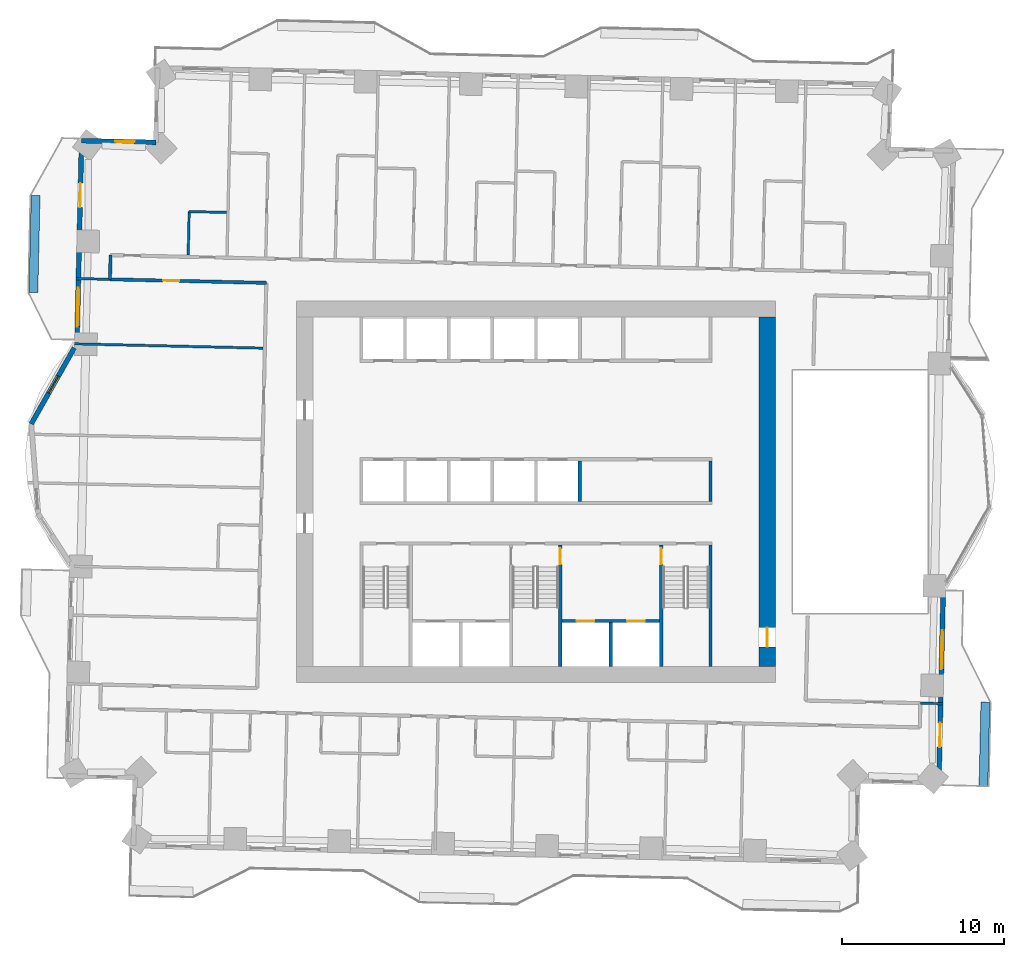
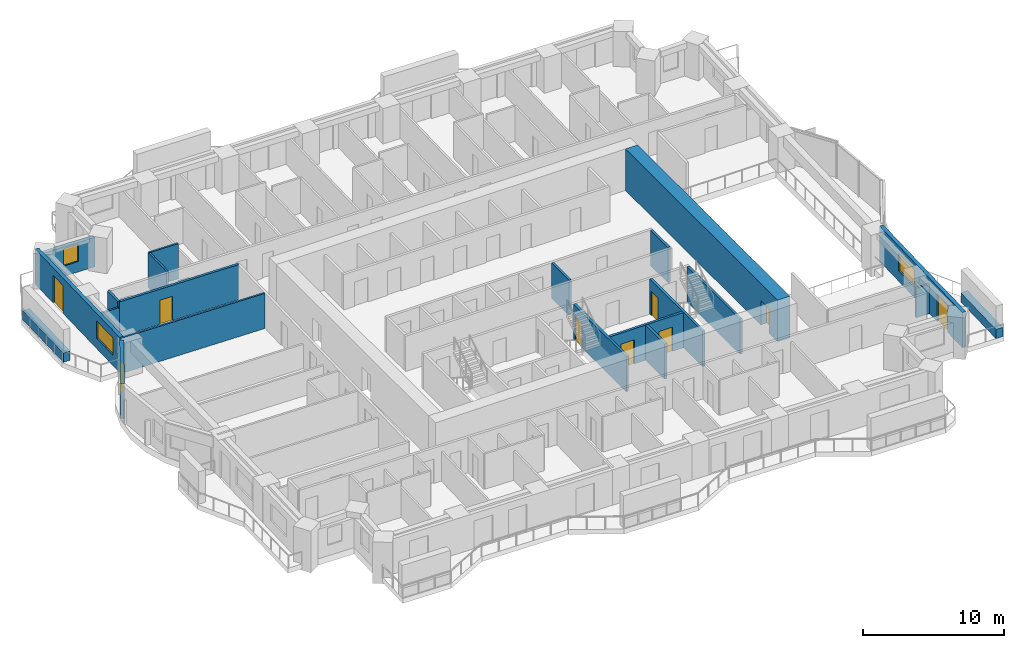
# One storey, part 9 of 16: 21 walls, 8 doors, 4 windows, 12 openings.
"""IFC4 building model written with IfcOpenShell, lengths in metres."""

from ifc_helpers import new_model, si_unit, direction, frame, frame_2d, origin, place, context, subcontext, project, spatial, rectangle, extrude, material, layer, layer_set, type_object, element, fill, save


model = new_model("IFC4")

# Units and contexts
model_context = context("Model", 3, precision=1e-05, world=origin(), true_north=direction((0.0, 1.0)))
body_context = subcontext(model_context, "Body", "Model", "MODEL_VIEW")
ifc_project = project(units=[si_unit("LENGTHUNIT", "METRE"), si_unit("AREAUNIT", "SQUARE_METRE"), si_unit("VOLUMEUNIT", "CUBIC_METRE"), si_unit("PLANEANGLEUNIT", "RADIAN"), si_unit("MASSUNIT", "GRAM", prefix="KILO")], contexts=[model_context])

# Site, building, storey
site_placement = place(None, origin())
site = spatial("IfcSite", under=ifc_project, at=site_placement, CompositionType="ELEMENT")
building_placement = place(site_placement, origin())
building = spatial("IfcBuilding", under=site, at=building_placement, Name="Mangrove Gate Tower", CompositionType="ELEMENT")
storey_placement = place(building_placement, frame((0.0, 0.0, 105.5)))
storey = spatial("IfcBuildingStorey", under=building, at=storey_placement, Name="L26", CompositionType="ELEMENT", Elevation=105.5)

# Wall
ifc_material_1 = material(Name="Concrete C32/40", Category="concrete")
ifc_layer_1 = layer(ifc_material_1, 0.199951171875)
ifc_layer_set_1 = layer_set([ifc_layer_1], Name="Core room wall 200 C32/40")
wall_type_1 = type_object("IfcWallType", Name="Core room wall 200 C32/40", PredefinedType="STANDARD", material=ifc_layer_set_1)
wall_1_placement = place(storey_placement, frame((10.800048828125, -0.60009765625, 0.0), z_axis=(0.0, 0.0, 1.0), x_axis=(0.0, 1.0, 0.0)))
element("IfcWall", 1, at=wall_1_placement, inside=storey, type_object=wall_type_1, Name="WALL-L26-CORE-25", PredefinedType="STANDARD", context=body_context, shape_type="SweptSolid", body=[
    extrude(rectangle(XDim=2.5, YDim=0.199951171875, at=frame_2d((1.25, 0.0))), origin(), (0.0, 0.0, 1.0), 3.050048828125),
])

# Wall, openings, doors
ifc_material_2 = material(Name="Concrete C70/85", Category="concrete")
ifc_layer_2 = layer(ifc_material_2, 0.199951171875)
ifc_layer_set_2 = layer_set([ifc_layer_2], Name="Core shaft wall 200 C70/85")
wall_type_2 = type_object("IfcWallType", Name="Core shaft wall 200 C70/85", PredefinedType="SHEAR", material=ifc_layer_set_2)
wall_2_placement = place(storey_placement, frame((1.60009765625, -8.0, 0.0), z_axis=(0.0, 0.0, 1.0), x_axis=(1.0, 0.0, 0.0)))
wall_2 = element("IfcWall", 2, at=wall_2_placement, inside=storey, type_object=wall_type_2, Name="WALL-L26-CORE-17", PredefinedType="SHEAR", context=body_context, shape_type="SweptSolid", body=[
    extrude(rectangle(XDim=6.0498046875, YDim=0.199951171875, at=frame_2d((3.02490234375, 0.0))), origin(), (0.0, 0.0, 1.0), 3.050048828125),
])
opening_1_placement = place(wall_2_placement, frame((0.91259765625, 0.0, 0.0)))
opening_1 = element("IfcOpeningElement", 3, at=opening_1_placement, cuts=wall_2, Name="Opening LD", PredefinedType="OPENING", context=body_context, shape_type="SweptSolid", body=[
    extrude(rectangle(XDim=1.10009765625, YDim=2.10009765625, at=frame_2d((0.550048828125, 1.050048828125))), frame((0.0, 0.10986328125, 0.0), z_axis=(0.0, -1.0, 0.0), x_axis=(1.0, 0.0, 0.0)), (0.0, 0.0, 1.0), 0.219970703125),
])
opening_2_placement = place(wall_2_placement, frame((4.03759765625, 0.0, 0.0)))
opening_2 = element("IfcOpeningElement", 4, at=opening_2_placement, cuts=wall_2, Name="Opening LD", PredefinedType="OPENING", context=body_context, shape_type="SweptSolid", body=[
    extrude(rectangle(XDim=1.10009765625, YDim=2.10009765625, at=frame_2d((0.550048828125, 1.050048828125))), frame((0.0, 0.10986328125, 0.0), z_axis=(0.0, -1.0, 0.0), x_axis=(1.0, 0.0, 0.0)), (0.0, 0.0, 1.0), 0.219970703125),
])
ifc_material_3 = material(Name="Stainless steel 316", Category="steel")
door_type_1 = type_object("IfcDoorType", Name="Lift landing door 1100x2100", OperationType="SLIDING_TO_LEFT", PredefinedType="DOOR", material=ifc_material_3)
door_1_placement = place(opening_1_placement, origin())
door_1 = element("IfcDoor", 5, at=door_1_placement, inside=storey, type_object=door_type_1, Name="Landing door LD FFL1", OperationType="SLIDING_TO_LEFT", OverallHeight=2.10009765625, OverallWidth=1.10009765625, PredefinedType="DOOR", context=body_context, shape_type="SweptSolid", body=[
    extrude(rectangle(XDim=1.10009765625, YDim=2.10009765625, at=frame_2d((0.550048828125, 1.050048828125))), frame((0.0, 0.02490234375, 0.0), z_axis=(0.0, -1.0, 0.0), x_axis=(1.0, 0.0, 0.0)), (0.0, 0.0, 1.0), 0.050048828125),
])
fill(opening_1, door_1)
door_2_placement = place(opening_2_placement, origin())
door_2 = element("IfcDoor", 6, at=door_2_placement, inside=storey, type_object=door_type_1, Name="Landing door LD FFL2", OperationType="SLIDING_TO_LEFT", OverallHeight=2.10009765625, OverallWidth=1.10009765625, PredefinedType="DOOR", context=body_context, shape_type="SweptSolid", body=[
    extrude(rectangle(XDim=1.10009765625, YDim=2.10009765625, at=frame_2d((0.550048828125, 1.050048828125))), frame((0.0, 0.02490234375, 0.0), z_axis=(0.0, -1.0, 0.0), x_axis=(1.0, 0.0, 0.0)), (0.0, 0.0, 1.0), 0.050048828125),
])
fill(opening_2, door_2)

# Walls
wall_3_placement = place(storey_placement, frame((4.625, -10.800048828125, 0.0), z_axis=(0.0, 0.0, 1.0), x_axis=(0.0, 1.0, 0.0)))
element("IfcWall", 7, at=wall_3_placement, inside=storey, type_object=wall_type_2, Name="WALL-L26-CORE-18", PredefinedType="SHEAR", context=body_context, shape_type="SweptSolid", body=[
    extrude(rectangle(XDim=2.699951171875, YDim=0.199951171875, at=frame_2d((1.35009765625, 0.0))), origin(), (0.0, 0.0, 1.0), 3.050048828125),
])
wall_4_placement = place(storey_placement, frame((2.699951171875, -0.60009765625, 0.0), z_axis=(0.0, 0.0, 1.0), x_axis=(0.0, 1.0, 0.0)))
element("IfcWall", 8, at=wall_4_placement, inside=storey, type_object=wall_type_2, Name="WALL-L26-CORE-24", PredefinedType="SHEAR", context=body_context, shape_type="SweptSolid", body=[
    extrude(rectangle(XDim=2.5, YDim=0.199951171875, at=frame_2d((1.25, 0.0))), origin(), (0.0, 0.0, 1.0), 3.050048828125),
])

# Wall, opening, door
ifc_material_4 = material(Name="Concrete C70/85", Category="concrete")
ifc_layer_3 = layer(ifc_material_4, 0.199951171875)
ifc_layer_set_3 = layer_set([ifc_layer_3], Name="Core stair wall 200 C70/85")
wall_type_3 = type_object("IfcWallType", Name="Core stair wall 200 C70/85", PredefinedType="SHEAR", material=ifc_layer_set_3)
wall_5_placement = place(storey_placement, frame((1.5, -10.800048828125, 0.0), z_axis=(0.0, 0.0, 1.0), x_axis=(0.0, 1.0, 0.0)))
wall_5 = element("IfcWall", 9, at=wall_5_placement, inside=storey, type_object=wall_type_3, Name="WALL-L26-CORE-12", PredefinedType="SHEAR", context=body_context, shape_type="SweptSolid", body=[
    extrude(rectangle(XDim=7.5, YDim=0.199951171875, at=frame_2d((3.75, 0.0))), origin(), (0.0, 0.0, 1.0), 3.050048828125),
])
opening_3_placement = place(wall_5_placement, frame((6.300048828125, 0.0, 0.0)))
opening_3 = element("IfcOpeningElement", 10, at=opening_3_placement, cuts=wall_5, Name="Opening STD10", PredefinedType="OPENING", context=body_context, shape_type="SweptSolid", body=[
    extrude(rectangle(XDim=1.0, YDim=2.10009765625, at=frame_2d((0.5, 1.050048828125))), frame((0.0, 0.10986328125, 0.0), z_axis=(0.0, -1.0, 0.0), x_axis=(1.0, 0.0, 0.0)), (0.0, 0.0, 1.0), 0.219970703125),
])
ifc_material_5 = material(Name="Fire-rated steel door set", Category="steel")
door_type_2 = type_object("IfcDoorType", Name="Stair door FD60 1000x2100", OperationType="SINGLE_SWING_RIGHT", PredefinedType="DOOR", material=ifc_material_5)
door_3_placement = place(opening_3_placement, origin())
door_3 = element("IfcDoor", 11, at=door_3_placement, inside=storey, type_object=door_type_2, Name="Stair door Stair 2 from fire-fighting lobby", OperationType="SINGLE_SWING_RIGHT", OverallHeight=2.10009765625, OverallWidth=1.0, PredefinedType="DOOR", context=body_context, shape_type="SweptSolid", body=[
    extrude(rectangle(XDim=1.0, YDim=2.10009765625, at=frame_2d((0.5, 1.050048828125))), frame((0.0, 0.02490234375, 0.0), z_axis=(0.0, -1.0, 0.0), x_axis=(1.0, 0.0, 0.0)), (0.0, 0.0, 1.0), 0.050048828125),
])
fill(opening_3, door_3)

wall_6_placement = place(storey_placement, frame((7.75, -10.800048828125, 0.0), z_axis=(0.0, 0.0, 1.0), x_axis=(0.0, 1.0, 0.0)))
wall_6 = element("IfcWall", 12, at=wall_6_placement, inside=storey, type_object=wall_type_3, Name="WALL-L26-CORE-13", PredefinedType="SHEAR", context=body_context, shape_type="SweptSolid", body=[
    extrude(rectangle(XDim=7.5, YDim=0.199951171875, at=frame_2d((3.75, 0.0))), origin(), (0.0, 0.0, 1.0), 3.050048828125),
])
opening_4_placement = place(wall_6_placement, frame((6.300048828125, 0.0, 0.0)))
opening_4 = element("IfcOpeningElement", 13, at=opening_4_placement, cuts=wall_6, Name="Opening STD10", PredefinedType="OPENING", context=body_context, shape_type="SweptSolid", body=[
    extrude(rectangle(XDim=1.0, YDim=2.10009765625, at=frame_2d((0.5, 1.050048828125))), frame((0.0, 0.10986328125, 0.0), z_axis=(0.0, -1.0, 0.0), x_axis=(1.0, 0.0, 0.0)), (0.0, 0.0, 1.0), 0.219970703125),
])
door_4_placement = place(opening_4_placement, origin())
door_4 = element("IfcDoor", 14, at=door_4_placement, inside=storey, type_object=door_type_2, Name="Stair door Stair 3 from fire-fighting lobby", OperationType="SINGLE_SWING_RIGHT", OverallHeight=2.10009765625, OverallWidth=1.0, PredefinedType="DOOR", context=body_context, shape_type="SweptSolid", body=[
    extrude(rectangle(XDim=1.0, YDim=2.10009765625, at=frame_2d((0.5, 1.050048828125))), frame((0.0, 0.02490234375, 0.0), z_axis=(0.0, -1.0, 0.0), x_axis=(1.0, 0.0, 0.0)), (0.0, 0.0, 1.0), 0.050048828125),
])
fill(opening_4, door_4)

# Wall
wall_7_placement = place(storey_placement, frame((10.800048828125, -10.800048828125, 0.0), z_axis=(0.0, 0.0, 1.0), x_axis=(0.0, 1.0, 0.0)))
element("IfcWall", 15, at=wall_7_placement, inside=storey, type_object=wall_type_3, Name="WALL-L26-CORE-14", PredefinedType="SHEAR", context=body_context, shape_type="SweptSolid", body=[
    extrude(rectangle(XDim=7.5, YDim=0.199951171875, at=frame_2d((3.75, 0.0))), origin(), (0.0, 0.0, 1.0), 3.050048828125),
])

# Wall, opening, door
ifc_material_6 = material(Name="Concrete C70/85", Category="concrete")
ifc_layer_4 = layer(ifc_material_6, 1.0)
ifc_layer_set_4 = layer_set([ifc_layer_4], Name="Core wall 1000 C70/85")
wall_type_4 = type_object("IfcWallType", Name="Core wall 1000 C70/85", PredefinedType="SHEAR", material=ifc_layer_set_4)
wall_8_placement = place(storey_placement, frame((14.300048828125, -10.800048828125, 0.0), z_axis=(0.0, 0.0, 1.0), x_axis=(0.0, 1.0, 0.0)))
wall_8 = element("IfcWall", 16, at=wall_8_placement, inside=storey, type_object=wall_type_4, Name="WALL-L26-CORE-4", PredefinedType="SHEAR", context=body_context, shape_type="SweptSolid", body=[
    extrude(rectangle(XDim=21.60009765625, YDim=1.0, at=frame_2d((10.800048828125, 0.0))), origin(), (0.0, 0.0, 1.0), 3.60009765625),
])
opening_5_placement = place(wall_8_placement, frame((1.199951171875, 0.0, 0.0)))
opening_5 = element("IfcOpeningElement", 17, at=opening_5_placement, cuts=wall_8, Name="Opening CD", PredefinedType="OPENING", context=body_context, shape_type="SweptSolid", body=[
    extrude(rectangle(XDim=1.199951171875, YDim=2.10009765625, at=frame_2d((0.60009765625, 1.050048828125))), frame((0.0, 0.510009765625, 0.0), z_axis=(0.0, -1.0, 0.0), x_axis=(1.0, 0.0, 0.0)), (0.0, 0.0, 1.0), 1.02001953125),
])
ifc_material_7 = material(Name="Fire-rated steel door set", Category="steel")
door_type_3 = type_object("IfcDoorType", Name="Core ring door FD60 1200x2100", OperationType="DOUBLE_DOOR_SINGLE_SWING", PredefinedType="DOOR", material=ifc_material_7)
door_5_placement = place(opening_5_placement, origin())
door_5 = element("IfcDoor", 18, at=door_5_placement, inside=storey, type_object=door_type_3, Name="Core ring door E1", OperationType="DOUBLE_DOOR_SINGLE_SWING", OverallHeight=2.10009765625, OverallWidth=1.199951171875, PredefinedType="DOOR", context=body_context, shape_type="SweptSolid", body=[
    extrude(rectangle(XDim=1.199951171875, YDim=2.10009765625, at=frame_2d((0.60009765625, 1.050048828125))), frame((0.0, 0.02490234375, 0.0), z_axis=(0.0, -1.0, 0.0), x_axis=(1.0, 0.0, 0.0)), (0.0, 0.0, 1.0), 0.050048828125),
])
fill(opening_5, door_5)

ifc_material_8 = material(Name="Gypsum board on steel stud, EI 60", Category="steel")
ifc_layer_5 = layer(ifc_material_8, 0.199951171875)
ifc_layer_set_5 = layer_set([ifc_layer_5], Name="Corridor wall EI 60")
wall_type_5 = type_object("IfcWallType", Name="Corridor wall EI 60", PredefinedType="PARTITIONING", material=ifc_layer_set_5)
wall_9_placement = place(storey_placement, frame((-26.35009765625, 13.134033203125, 0.0), z_axis=(0.0, 0.0, 1.0), x_axis=(0.999743721339, -0.022638278294, 0.0)))
wall_9 = element("IfcWall", 19, at=wall_9_placement, inside=storey, type_object=wall_type_5, Name="WALL-L26-040", PredefinedType="PARTITIONING", context=body_context, shape_type="SweptSolid", body=[
    extrude(rectangle(XDim=9.673583984375, YDim=0.199951171875, at=frame_2d((4.8369140625, 0.0))), origin(), (0.0, 0.0, 1.0), 3.050048828125),
])
opening_6_placement = place(wall_9_placement, frame((3.287109375, 0.0, 0.0)))
opening_6 = element("IfcOpeningElement", 20, at=opening_6_placement, cuts=wall_9, Name="Opening AD", PredefinedType="OPENING", context=body_context, shape_type="SweptSolid", body=[
    extrude(rectangle(XDim=1.0, YDim=2.10009765625, at=frame_2d((0.5, 1.050048828125))), frame((0.0, 0.10986328125, 0.0), z_axis=(0.0, -1.0, 0.0), x_axis=(1.0, 0.0, 0.0)), (0.0, 0.0, 1.0), 0.219970703125),
])
ifc_material_9 = material(Name="Timber door leaf", Category="wood")
door_type_4 = type_object("IfcDoorType", Name="Amenity door 1000", OperationType="SINGLE_SWING_LEFT", PredefinedType="DOOR", material=ifc_material_9)
door_6_placement = place(opening_6_placement, origin())
door_6 = element("IfcDoor", 21, at=door_6_placement, inside=storey, type_object=door_type_4, Name="DOOR-L26-GAM-c5a", OperationType="SINGLE_SWING_LEFT", OverallHeight=2.10009765625, OverallWidth=1.0, PredefinedType="DOOR", context=body_context, shape_type="SweptSolid", body=[
    extrude(rectangle(XDim=1.0, YDim=2.10009765625, at=frame_2d((0.5, 1.050048828125))), frame((0.0, 0.02490234375, 0.0), z_axis=(0.0, -1.0, 0.0), x_axis=(1.0, 0.0, 0.0)), (0.0, 0.0, 1.0), 0.050048828125),
])
fill(opening_6, door_6)

# Wall
wall_10_placement = place(storey_placement, frame((-26.345947265625, 13.137939453125, 0.0), z_axis=(0.0, 0.0, 1.0), x_axis=(0.022617910375, 0.999744182344, 0.0)))
element("IfcWall", 22, at=wall_10_placement, inside=storey, type_object=wall_type_5, Name="WALL-L26-043", PredefinedType="PARTITIONING", context=body_context, shape_type="SweptSolid", body=[
    extrude(rectangle(XDim=1.50048828125, YDim=0.199951171875, at=frame_2d((0.750244140625, 0.0))), origin(), (0.0, 0.0, 1.0), 3.050048828125),
])

# Wall, openings, door, window
ifc_material_10 = material(Name="Limestone", Category="masonry")
ifc_layer_6 = layer(ifc_material_10, 0.0400390625, Name="Limestone cladding")
ifc_material_11 = material(Name="Ventilated air gap")
ifc_layer_7 = layer(ifc_material_11, 0.0400390625, Name="Ventilated cavity")
ifc_material_12 = material(Name="Mineral wool insulation")
ifc_layer_8 = layer(ifc_material_12, 0.06005859375, Name="Insulation")
ifc_material_13 = material(Name="Breather membrane")
ifc_layer_9 = layer(ifc_material_13, 0.001953125, Name="Breather membrane")
ifc_material_14 = material(Name="Concrete C20/25 blockwork", Category="masonry")
ifc_layer_10 = layer(ifc_material_14, 0.14990234375, Name="Blockwork backing wall")
ifc_material_15 = material(Name="Gypsum plaster")
ifc_layer_11 = layer(ifc_material_15, 0.008056640625, Name="Internal plaster")
ifc_layer_set_6 = layer_set([ifc_layer_6, ifc_layer_7, ifc_layer_8, ifc_layer_9, ifc_layer_10, ifc_layer_11], Name="External wall 300 limestone cladding")
wall_type_6 = type_object("IfcWallType", Name="External wall 300 limestone cladding", PredefinedType="SOLIDWALL", material=ifc_layer_set_6)
wall_11_placement = place(storey_placement, frame((24.9150390625, -18.007080078125, 0.0), z_axis=(0.0, 0.0, 1.0), x_axis=(0.02263706344, 0.999743748847, 0.0)))
wall_11 = element("IfcWall", 23, at=wall_11_placement, inside=storey, type_object=wall_type_6, Name="WALL-L26-E0", PredefinedType="SOLIDWALL", context=body_context, shape_type="SweptSolid", body=[
    extrude(rectangle(XDim=12.230224609375, YDim=0.300048828125, at=frame_2d((6.115234375, 0.0))), origin(), (0.0, 0.0, 1.0), 3.050048828125),
])
opening_7_placement = place(wall_11_placement, frame((2.212890625, 0.0, 0.0)))
opening_7 = element("IfcOpeningElement", 24, at=opening_7_placement, cuts=wall_11, Name="Opening BD1", PredefinedType="OPENING", context=body_context, shape_type="SweptSolid", body=[
    extrude(rectangle(XDim=1.5, YDim=2.39990234375, at=frame_2d((0.75, 1.199951171875))), frame((0.0, 0.159912109375, 0.0), z_axis=(0.0, -1.0, 0.0), x_axis=(1.0, 0.0, 0.0)), (0.0, 0.0, 1.0), 0.320068359375),
])
opening_8_placement = place(wall_11_placement, frame((7.027099609375, 0.0, 0.89990234375)))
opening_8 = element("IfcOpeningElement", 25, at=opening_8_placement, cuts=wall_11, Name="Opening W2", PredefinedType="OPENING", context=body_context, shape_type="SweptSolid", body=[
    extrude(rectangle(XDim=2.39990234375, YDim=1.5, at=frame_2d((1.199951171875, 0.75))), frame((0.0, 0.159912109375, 0.0), z_axis=(0.0, -1.0, 0.0), x_axis=(1.0, 0.0, 0.0)), (0.0, 0.0, 1.0), 0.320068359375),
])
ifc_material_16 = material(Name="Aluminium frame with laminated clear glass", Category="aluminium")
door_type_5 = type_object("IfcDoorType", Name="Balcony sliding door 1500x2400", OperationType="SLIDING_TO_LEFT", PredefinedType="DOOR", material=ifc_material_16)
door_7_placement = place(opening_7_placement, origin())
door_7 = element("IfcDoor", 26, at=door_7_placement, inside=storey, type_object=door_type_5, Name="DOOR-L26-E0-1", OperationType="SLIDING_TO_LEFT", OverallHeight=2.39990234375, OverallWidth=1.5, PredefinedType="DOOR", context=body_context, shape_type="SweptSolid", body=[
    extrude(rectangle(XDim=1.5, YDim=2.39990234375, at=frame_2d((0.75, 1.199951171875))), frame((0.0, 0.02490234375, 0.0), z_axis=(0.0, -1.0, 0.0), x_axis=(1.0, 0.0, 0.0)), (0.0, 0.0, 1.0), 0.050048828125),
])
fill(opening_7, door_7)
ifc_material_17 = material(Name="Aluminium frame with double-glazed low-e glass", Category="aluminium")
window_type_1 = type_object("IfcWindowType", Name="Corner room window 2400x1500", PartitioningType="DOUBLE_PANEL_VERTICAL", PredefinedType="WINDOW", material=ifc_material_17)
window_1_placement = place(opening_8_placement, origin())
window_1 = element("IfcWindow", 27, at=window_1_placement, inside=storey, type_object=window_type_1, Name="WIN-L26-E0-2", OverallHeight=1.5, OverallWidth=2.39990234375, PartitioningType="DOUBLE_PANEL_VERTICAL", PredefinedType="WINDOW", context=body_context, shape_type="SweptSolid", body=[
    extrude(rectangle(XDim=2.39990234375, YDim=1.5, at=frame_2d((1.199951171875, 0.75))), frame((0.0, 0.030029296875, 0.0), z_axis=(0.0, -1.0, 0.0), x_axis=(1.0, 0.0, 0.0)), (0.0, 0.0, 1.0), 0.06005859375),
])
fill(opening_8, window_1)

# Wall, opening, window
wall_12_placement = place(storey_placement, frame((-23.507080078125, 21.60205078125, 0.0), z_axis=(0.0, 0.0, 1.0), x_axis=(-0.999739556364, 0.022821468877, 0.0)))
wall_12 = element("IfcWall", 28, at=wall_12_placement, inside=storey, type_object=wall_type_6, Name="WALL-L26-N7", PredefinedType="SOLIDWALL", context=body_context, shape_type="SweptSolid", body=[
    extrude(rectangle(XDim=4.60009765625, YDim=0.300048828125, at=frame_2d((2.300048828125, 0.0))), origin(), (0.0, 0.0, 1.0), 2.550048828125),
])
opening_9_placement = place(wall_12_placement, frame((1.324951171875, 0.0, 0.89990234375)))
opening_9 = element("IfcOpeningElement", 29, at=opening_9_placement, cuts=wall_12, Name="Opening W1", PredefinedType="OPENING", context=body_context, shape_type="SweptSolid", body=[
    extrude(rectangle(XDim=1.199951171875, YDim=1.5, at=frame_2d((0.60009765625, 0.75))), frame((0.0, 0.159912109375, 0.0), z_axis=(0.0, -1.0, 0.0), x_axis=(1.0, 0.0, 0.0)), (0.0, 0.0, 1.0), 0.320068359375),
])
ifc_material_18 = material(Name="Aluminium frame with double-glazed low-e glass", Category="aluminium")
window_type_2 = type_object("IfcWindowType", Name="Side lite 1200x1500", PartitioningType="SINGLE_PANEL", PredefinedType="WINDOW", material=ifc_material_18)
window_2_placement = place(opening_9_placement, origin())
window_2 = element("IfcWindow", 30, at=window_2_placement, inside=storey, type_object=window_type_2, Name="WIN-L26-N7-1", OverallHeight=1.5, OverallWidth=1.199951171875, PartitioningType="SINGLE_PANEL", PredefinedType="WINDOW", context=body_context, shape_type="SweptSolid", body=[
    extrude(rectangle(XDim=1.199951171875, YDim=1.5, at=frame_2d((0.60009765625, 0.75))), frame((0.0, 0.030029296875, 0.0), z_axis=(0.0, -1.0, 0.0), x_axis=(1.0, 0.0, 0.0)), (0.0, 0.0, 1.0), 0.06005859375),
])
fill(opening_9, window_2)

# Wall, openings, door, window
wall_13_placement = place(storey_placement, frame((-28.10595703125, 21.70703125, 0.0), z_axis=(0.0, 0.0, 1.0), x_axis=(-0.022654663697, -0.999743350172, 0.0)))
wall_13 = element("IfcWall", 31, at=wall_13_placement, inside=storey, type_object=wall_type_6, Name="WALL-L26-W8", PredefinedType="SOLIDWALL", context=body_context, shape_type="SweptSolid", body=[
    extrude(rectangle(XDim=12.630126953125, YDim=0.300048828125, at=frame_2d((6.31494140625, 0.0))), origin(), (0.0, 0.0, 1.0), 3.050048828125),
])
opening_10_placement = place(wall_13_placement, frame((2.625, 0.0, 0.0)))
opening_10 = element("IfcOpeningElement", 32, at=opening_10_placement, cuts=wall_13, Name="Opening BD1", PredefinedType="OPENING", context=body_context, shape_type="SweptSolid", body=[
    extrude(rectangle(XDim=1.5, YDim=2.39990234375, at=frame_2d((0.75, 1.199951171875))), frame((0.0, 0.159912109375, 0.0), z_axis=(0.0, -1.0, 0.0), x_axis=(1.0, 0.0, 0.0)), (0.0, 0.0, 1.0), 0.320068359375),
])
opening_11_placement = place(wall_13_placement, frame((9.10107421875, 0.0, 0.89990234375)))
opening_11 = element("IfcOpeningElement", 33, at=opening_11_placement, cuts=wall_13, Name="Opening W2", PredefinedType="OPENING", context=body_context, shape_type="SweptSolid", body=[
    extrude(rectangle(XDim=2.39990234375, YDim=1.5, at=frame_2d((1.199951171875, 0.75))), frame((0.0, 0.159912109375, 0.0), z_axis=(0.0, -1.0, 0.0), x_axis=(1.0, 0.0, 0.0)), (0.0, 0.0, 1.0), 0.320068359375),
])
door_8_placement = place(opening_10_placement, origin())
door_8 = element("IfcDoor", 34, at=door_8_placement, inside=storey, type_object=door_type_5, Name="DOOR-L26-W8-1", OperationType="SLIDING_TO_LEFT", OverallHeight=2.39990234375, OverallWidth=1.5, PredefinedType="DOOR", context=body_context, shape_type="SweptSolid", body=[
    extrude(rectangle(XDim=1.5, YDim=2.39990234375, at=frame_2d((0.75, 1.199951171875))), frame((0.0, 0.02490234375, 0.0), z_axis=(0.0, -1.0, 0.0), x_axis=(1.0, 0.0, 0.0)), (0.0, 0.0, 1.0), 0.050048828125),
])
fill(opening_10, door_8)
window_3_placement = place(opening_11_placement, origin())
window_3 = element("IfcWindow", 35, at=window_3_placement, inside=storey, type_object=window_type_1, Name="WIN-L26-W8-2", OverallHeight=1.5, OverallWidth=2.39990234375, PartitioningType="DOUBLE_PANEL_VERTICAL", PredefinedType="WINDOW", context=body_context, shape_type="SweptSolid", body=[
    extrude(rectangle(XDim=2.39990234375, YDim=1.5, at=frame_2d((1.199951171875, 0.75))), frame((0.0, 0.030029296875, 0.0), z_axis=(0.0, -1.0, 0.0), x_axis=(1.0, 0.0, 0.0)), (0.0, 0.0, 1.0), 0.06005859375),
])
fill(opening_11, window_3)

# Wall, opening, window
wall_14_placement = place(storey_placement, frame((-28.556884765625, 8.89404296875, 0.0), z_axis=(0.0, 0.0, 1.0), x_axis=(-0.492589172415, -0.8702619762, 0.0)))
wall_14 = element("IfcWall", 36, at=wall_14_placement, inside=storey, type_object=wall_type_6, Name="WALL-L26-W9f1", PredefinedType="SOLIDWALL", context=body_context, shape_type="SweptSolid", body=[
    extrude(rectangle(XDim=5.3984375, YDim=0.300048828125, at=frame_2d((2.69921875, 0.0))), origin(), (0.0, 0.0, 1.0), 3.050048828125),
])
opening_12_placement = place(wall_14_placement, frame((2.008056640625, 0.0, 0.89990234375)))
opening_12 = element("IfcOpeningElement", 37, at=opening_12_placement, cuts=wall_14, Name="Opening W1", PredefinedType="OPENING", context=body_context, shape_type="SweptSolid", body=[
    extrude(rectangle(XDim=1.199951171875, YDim=1.5, at=frame_2d((0.60009765625, 0.75))), frame((0.0, 0.159912109375, 0.0), z_axis=(0.0, -1.0, 0.0), x_axis=(1.0, 0.0, 0.0)), (0.0, 0.0, 1.0), 0.320068359375),
])
window_4_placement = place(opening_12_placement, origin())
window_4 = element("IfcWindow", 38, at=window_4_placement, inside=storey, type_object=window_type_2, Name="WIN-L26-W9f1", OverallHeight=1.5, OverallWidth=1.199951171875, PartitioningType="SINGLE_PANEL", PredefinedType="WINDOW", context=body_context, shape_type="SweptSolid", body=[
    extrude(rectangle(XDim=1.199951171875, YDim=1.5, at=frame_2d((0.60009765625, 0.75))), frame((0.0, 0.030029296875, 0.0), z_axis=(0.0, -1.0, 0.0), x_axis=(1.0, 0.0, 0.0)), (0.0, 0.0, 1.0), 0.06005859375),
])
fill(opening_12, window_4)

# Walls
ifc_material_19 = material(Name="Gypsum board on steel stud, EI 60", Category="steel")
ifc_layer_12 = layer(ifc_material_19, 0.14990234375)
ifc_layer_set_7 = layer_set([ifc_layer_12], Name="Party wall 150 EI 60")
wall_type_7 = type_object("IfcWallType", Name="Party wall 150 EI 60", PredefinedType="PARTITIONING", material=ifc_layer_set_7)
wall_15_placement = place(storey_placement, frame((23.77197265625, -13.0791015625, 0.0), z_axis=(0.0, 0.0, 1.0), x_axis=(0.999740667531, -0.022772739949, 0.0)))
element("IfcWall", 39, at=wall_15_placement, inside=storey, type_object=wall_type_7, Name="WALL-L26-030", PredefinedType="PARTITIONING", context=body_context, shape_type="SweptSolid", body=[
    extrude(rectangle(XDim=1.404296875, YDim=0.14990234375, at=frame_2d((0.7021484375, 0.0))), origin(), (0.0, 0.0, 1.0), 2.550048828125),
])
wall_16_placement = place(storey_placement, frame((-28.541015625, 9.14306640625, 0.0), z_axis=(0.0, 0.0, 1.0), x_axis=(0.999742008279, -0.022713803786, 0.0)))
element("IfcWall", 40, at=wall_16_placement, inside=storey, type_object=wall_type_7, Name="WALL-L26-038", PredefinedType="PARTITIONING", context=body_context, shape_type="SweptSolid", body=[
    extrude(rectangle(XDim=11.6728515625, YDim=0.14990234375, at=frame_2d((5.83642578125, 0.0))), origin(), (0.0, 0.0, 1.0), 3.050048828125),
])
wall_17_placement = place(storey_placement, frame((-28.448974609375, 13.181884765625, 0.0), z_axis=(0.0, 0.0, 1.0), x_axis=(0.999741236023, -0.022747769011, 0.0)))
element("IfcWall", 41, at=wall_17_placement, inside=storey, type_object=wall_type_7, Name="WALL-L26-039", PredefinedType="PARTITIONING", context=body_context, shape_type="SweptSolid", body=[
    extrude(rectangle(XDim=2.103515625, YDim=0.14990234375, at=frame_2d((1.0517578125, 0.0))), origin(), (0.0, 0.0, 1.0), 2.550048828125),
])
wall_18_placement = place(storey_placement, frame((-21.510986328125, 14.62890625, 0.0), z_axis=(0.0, 0.0, 1.0), x_axis=(0.022969966847, 0.999736155505, 0.0)))
element("IfcWall", 42, at=wall_18_placement, inside=storey, type_object=wall_type_7, Name="WALL-L26-046", PredefinedType="PARTITIONING", context=body_context, shape_type="SweptSolid", body=[
    extrude(rectangle(XDim=2.69970703125, YDim=0.14990234375, at=frame_2d((1.349853515625, 0.0))), origin(), (0.0, 0.0, 1.0), 3.050048828125),
])
wall_19_placement = place(storey_placement, frame((-21.452880859375, 17.323974609375, 0.0), z_axis=(0.0, 0.0, 1.0), x_axis=(0.999749744571, -0.022370700241, 0.0)))
element("IfcWall", 43, at=wall_19_placement, inside=storey, type_object=wall_type_7, Name="WALL-L26-065", PredefinedType="PARTITIONING", context=body_context, shape_type="SweptSolid", body=[
    extrude(rectangle(XDim=2.324462890625, YDim=0.14990234375, at=frame_2d((1.162109375, 0.0))), origin(), (0.0, 0.0, 1.0), 3.050048828125),
])
ifc_material_20 = material(Name="Concrete C32/40", Category="concrete")
ifc_layer_13 = layer(ifc_material_20, 0.199951171875, Name="Planter trough wall")
ifc_material_21 = material(Name="Bituminous waterproofing membrane")
ifc_layer_14 = layer(ifc_material_21, 0.0048828125, Name="Waterproofing")
ifc_material_22 = material(Name="Drainage board and gravel")
ifc_layer_15 = layer(ifc_material_22, 0.044921875, Name="Drainage layer")
ifc_material_23 = material(Name="Planting soil")
ifc_layer_16 = layer(ifc_material_23, 0.300048828125, Name="Growing medium")
ifc_layer_set_8 = layer_set([ifc_layer_13, ifc_layer_14, ifc_layer_15, ifc_layer_16], Name="Planter wall 550 C32/40")
wall_type_8 = type_object("IfcWallType", Name="Planter wall 550 C32/40", PredefinedType="USERDEFINED", material=ifc_layer_set_8)
wall_20_placement = place(storey_placement, frame((27.676025390625, -18.219970703125, 0.0), z_axis=(0.0, 0.0, 1.0), x_axis=(0.022675548694, 0.99974287669, 0.0)))
element("IfcWall", 44, at=wall_20_placement, inside=storey, type_object=wall_type_8, Name="PLANTER L26 E0.1", ObjectType="PLANTER", PredefinedType="USERDEFINED", context=body_context, shape_type="SweptSolid", body=[
    extrude(rectangle(XDim=5.2001953125, YDim=0.550048828125, at=frame_2d((2.60009765625, 0.0))), origin(), (0.0, 0.0, 1.0), 0.800048828125),
])
wall_21_placement = place(storey_placement, frame((-31.083984375, 12.322021484375, 0.0), z_axis=(0.0, 0.0, 1.0), x_axis=(0.022665943652, 0.999743094499, 0.0)))
element("IfcWall", 45, at=wall_21_placement, inside=storey, type_object=wall_type_8, Name="PLANTER L26 W0.1", ObjectType="PLANTER", PredefinedType="USERDEFINED", context=body_context, shape_type="SweptSolid", body=[
    extrude(rectangle(XDim=5.99951171875, YDim=0.550048828125, at=frame_2d((2.999755859375, 0.0))), origin(), (0.0, 0.0, 1.0), 0.800048828125),
])

save(model, "model.ifc")
